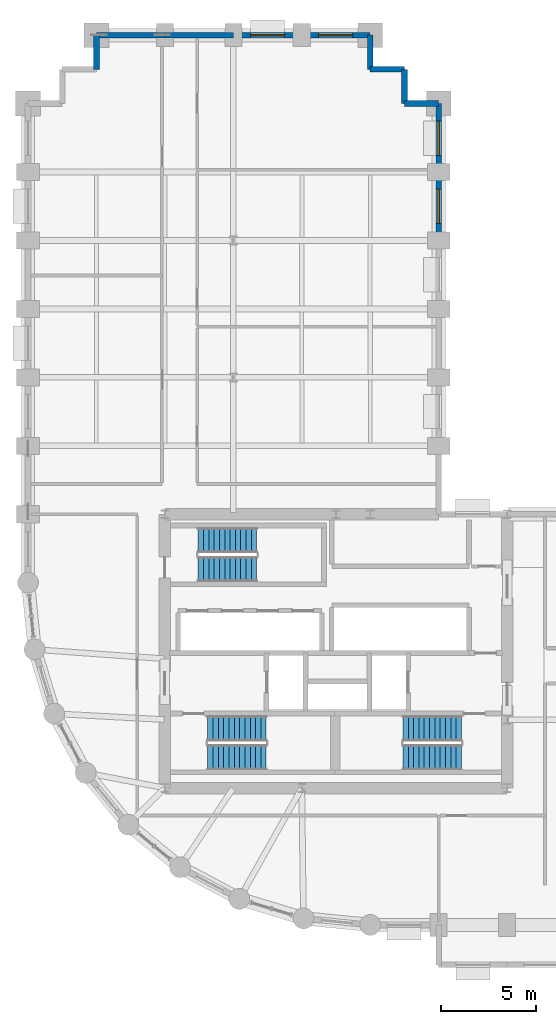
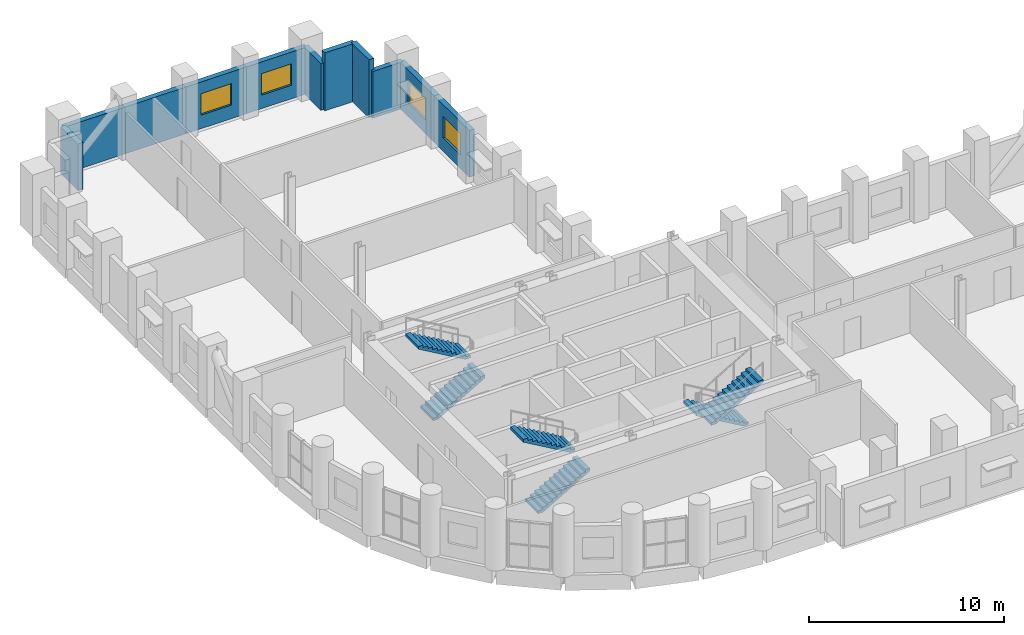
# One storey, part 12 of 14: 11 walls, 6 stair flights, 4 windows, 4 openings, 3 elements without a shape of their own.
"""IFC4 building model written with IfcOpenShell, lengths in metres."""

from ifc_helpers import new_model, si_unit, direction, frame, frame_2d, origin, place, context, subcontext, project, spatial, polyline, rectangle, outline, extrude, material, layer, layer_set, type_object, element, fill, aggregate, save


model = new_model("IFC4")

# Units and contexts
model_context = context("Model", 3, precision=1e-05, world=origin(), true_north=direction((0.0, 1.0)))
body_context = subcontext(model_context, "Body", "Model", "MODEL_VIEW")
ifc_project = project(units=[si_unit("LENGTHUNIT", "METRE"), si_unit("AREAUNIT", "SQUARE_METRE"), si_unit("VOLUMEUNIT", "CUBIC_METRE"), si_unit("PLANEANGLEUNIT", "RADIAN"), si_unit("MASSUNIT", "GRAM", prefix="KILO")], contexts=[model_context])

# Site, building, storey
site_placement = place(None, origin())
site = spatial("IfcSite", under=ifc_project, at=site_placement, CompositionType="ELEMENT")
building_placement = place(site_placement, origin())
building = spatial("IfcBuilding", under=site, at=building_placement, Name="Solnavia Interchange Tower", CompositionType="ELEMENT")
storey_placement = place(building_placement, frame((0.0, 0.0, 63.0)))
storey = spatial("IfcBuildingStorey", under=building, at=storey_placement, Name="L15", CompositionType="ELEMENT", Elevation=63.0)

# Wall, opening, window
ifc_material_1 = material(Name="Concrete C40/50", Category="concrete")
ifc_layer = layer(ifc_material_1, 0.300048828125)
ifc_layer_set = layer_set([ifc_layer], Name="Concrete C40/50")
wall_type = type_object("IfcWallType", Name="Wall-ExtSpandrel-300", PredefinedType="STANDARD", material=ifc_layer_set)
wall_1_placement = place(storey_placement, frame((28.800048828125, 39.60009765625, 0.0), z_axis=(0.0, 0.0, 1.0), x_axis=(0.0, 1.0, 0.0)))
wall_1 = element("IfcWall", 1, at=wall_1_placement, inside=storey, type_object=wall_type, Name="EXW-L15-36 Exterior precast spandrel wall", PredefinedType="STANDARD", context=body_context, shape_type="SweptSolid", body=[
    extrude(rectangle(XDim=3.599853515625, YDim=0.300048828125, at=frame_2d((1.7998046875, 0.0))), origin(), (0.0, 0.0, 1.0), 2.929931640625),
])
opening_1_placement = place(wall_1_placement, frame((0.89990234375, 0.0, 0.85009765625)))
opening_1 = element("IfcOpeningElement", 2, at=opening_1_placement, cuts=wall_1, Name="Opening WIN-02", PredefinedType="OPENING", context=body_context, shape_type="SweptSolid", body=[
    extrude(rectangle(XDim=1.800048828125, YDim=1.35009765625, at=frame_2d((0.89990234375, 0.675048828125))), frame((0.0, 0.16015625, 0.0), z_axis=(0.0, -1.0, 0.0), x_axis=(1.0, 0.0, 0.0)), (0.0, 0.0, 1.0), 0.320068359375),
])
ifc_material_2 = material(Name="Thermal-Break Aluminium & Low-E Glass", Category="aluminium")
window_type = type_object("IfcWindowType", Name="Window-Ribbon-1800x1350", PartitioningType="SINGLE_PANEL", PredefinedType="WINDOW", material=ifc_material_2)
window_1_placement = place(opening_1_placement, origin())
window_1 = element("IfcWindow", 3, at=window_1_placement, inside=storey, type_object=window_type, Name="WIN-L15-36 Facade ribbon window", OverallHeight=1.35009765625, OverallWidth=1.800048828125, PartitioningType="SINGLE_PANEL", PredefinedType="WINDOW", context=body_context, shape_type="SweptSolid", body=[
    extrude(rectangle(XDim=1.800048828125, YDim=1.35009765625, at=frame_2d((0.89990234375, 0.675048828125))), frame((0.0, 0.030029296875, 0.0), z_axis=(0.0, -1.0, 0.0), x_axis=(1.0, 0.0, 0.0)), (0.0, 0.0, 1.0), 0.06005859375),
])
fill(opening_1, window_1)

wall_2_placement = place(storey_placement, frame((28.800048828125, 43.199951171875, 0.0), z_axis=(0.0, 0.0, 1.0), x_axis=(0.0, 1.0, 0.0)))
wall_2 = element("IfcWall", 4, at=wall_2_placement, inside=storey, type_object=wall_type, Name="EXW-L15-37 Exterior precast spandrel wall", PredefinedType="STANDARD", context=body_context, shape_type="SweptSolid", body=[
    extrude(rectangle(XDim=3.60009765625, YDim=0.300048828125, at=frame_2d((1.800048828125, 0.0))), origin(), (0.0, 0.0, 1.0), 2.929931640625),
])
opening_2_placement = place(wall_2_placement, frame((0.875, 0.0, 0.85009765625)))
opening_2 = element("IfcOpeningElement", 5, at=opening_2_placement, cuts=wall_2, Name="Opening WIN-02", PredefinedType="OPENING", context=body_context, shape_type="SweptSolid", body=[
    extrude(rectangle(XDim=1.800048828125, YDim=1.35009765625, at=frame_2d((0.89990234375, 0.675048828125))), frame((0.0, 0.16015625, 0.0), z_axis=(0.0, -1.0, 0.0), x_axis=(1.0, 0.0, 0.0)), (0.0, 0.0, 1.0), 0.320068359375),
])
window_2_placement = place(opening_2_placement, origin())
window_2 = element("IfcWindow", 6, at=window_2_placement, inside=storey, type_object=window_type, Name="WIN-L15-37 Facade ribbon window", OverallHeight=1.35009765625, OverallWidth=1.800048828125, PartitioningType="SINGLE_PANEL", PredefinedType="WINDOW", context=body_context, shape_type="SweptSolid", body=[
    extrude(rectangle(XDim=1.800048828125, YDim=1.35009765625, at=frame_2d((0.89990234375, 0.675048828125))), frame((0.0, 0.030029296875, 0.0), z_axis=(0.0, -1.0, 0.0), x_axis=(1.0, 0.0, 0.0)), (0.0, 0.0, 1.0), 0.06005859375),
])
fill(opening_2, window_2)

# Walls
wall_3_placement = place(storey_placement, frame((27.0, 46.800048828125, 0.0), z_axis=(0.0, 0.0, 1.0), x_axis=(1.0, 0.0, 0.0)))
element("IfcWall", 7, at=wall_3_placement, inside=storey, type_object=wall_type, Name="EXW-L15-38 Exterior precast spandrel wall", PredefinedType="STANDARD", context=body_context, shape_type="SweptSolid", body=[
    extrude(rectangle(XDim=1.800048828125, YDim=0.300048828125, at=frame_2d((0.89990234375, 0.0))), origin(), (0.0, 0.0, 1.0), 2.929931640625),
])
for number, where, z_axis, x_axis, name in (
    (8, (27.0, 46.800048828125, 0.0), (0.0, 0.0, 1.0), (0.0, 1.0, 0.0), "EXW-L15-39 Exterior precast spandrel wall"),
    (9, (25.199951171875, 48.60009765625, 0.0), (0.0, 0.0, 1.0), (1.0, 0.0, 0.0), "EXW-L15-40 Exterior precast spandrel wall"),
):
    element("IfcWall", number, at=place(storey_placement, frame(where, z_axis=z_axis, x_axis=x_axis)), inside=storey, type_object=wall_type, Name=name, PredefinedType="STANDARD", context=body_context, shape_type="SweptSolid", body=[
        extrude(rectangle(XDim=1.800048828125, YDim=0.300048828125, at=frame_2d((0.89990234375, 0.0))), origin(), (0.0, 0.0, 1.0), 3.635009765625),
    ])
wall_4_placement = place(storey_placement, frame((25.199951171875, 48.60009765625, 0.0), z_axis=(0.0, 0.0, 1.0), x_axis=(0.0, 1.0, 0.0)))
element("IfcWall", 10, at=wall_4_placement, inside=storey, type_object=wall_type, Name="EXW-L15-41 Exterior precast spandrel wall", PredefinedType="STANDARD", context=body_context, shape_type="SweptSolid", body=[
    extrude(rectangle(XDim=1.7998046875, YDim=0.300048828125, at=frame_2d((0.89990234375, 0.0))), origin(), (0.0, 0.0, 1.0), 2.929931640625),
])

# Wall, opening, window
wall_5_placement = place(storey_placement, frame((21.60009765625, 50.39990234375, 0.0), z_axis=(0.0, 0.0, 1.0), x_axis=(1.0, 0.0, 0.0)))
wall_5 = element("IfcWall", 11, at=wall_5_placement, inside=storey, type_object=wall_type, Name="EXW-L15-42 Exterior precast spandrel wall", PredefinedType="STANDARD", context=body_context, shape_type="SweptSolid", body=[
    extrude(rectangle(XDim=3.599853515625, YDim=0.300048828125, at=frame_2d((1.7998046875, 0.0))), origin(), (0.0, 0.0, 1.0), 2.929931640625),
])
opening_3_placement = place(wall_5_placement, frame((0.875, 0.0, 0.85009765625)))
opening_3 = element("IfcOpeningElement", 12, at=opening_3_placement, cuts=wall_5, Name="Opening WIN-02", PredefinedType="OPENING", context=body_context, shape_type="SweptSolid", body=[
    extrude(rectangle(XDim=1.800048828125, YDim=1.35009765625, at=frame_2d((0.89990234375, 0.675048828125))), frame((0.0, 0.16015625, 0.0), z_axis=(0.0, -1.0, 0.0), x_axis=(1.0, 0.0, 0.0)), (0.0, 0.0, 1.0), 0.320068359375),
])
window_3_placement = place(opening_3_placement, origin())
window_3 = element("IfcWindow", 13, at=window_3_placement, inside=storey, type_object=window_type, Name="WIN-L15-42 Facade ribbon window", OverallHeight=1.35009765625, OverallWidth=1.800048828125, PartitioningType="SINGLE_PANEL", PredefinedType="WINDOW", context=body_context, shape_type="SweptSolid", body=[
    extrude(rectangle(XDim=1.800048828125, YDim=1.35009765625, at=frame_2d((0.89990234375, 0.675048828125))), frame((0.0, 0.030029296875, 0.0), z_axis=(0.0, -1.0, 0.0), x_axis=(1.0, 0.0, 0.0)), (0.0, 0.0, 1.0), 0.06005859375),
])
fill(opening_3, window_3)

wall_6_placement = place(storey_placement, frame((18.0, 50.39990234375, 0.0), z_axis=(0.0, 0.0, 1.0), x_axis=(1.0, 0.0, 0.0)))
wall_6 = element("IfcWall", 14, at=wall_6_placement, inside=storey, type_object=wall_type, Name="EXW-L15-43 Exterior precast spandrel wall", PredefinedType="STANDARD", context=body_context, shape_type="SweptSolid", body=[
    extrude(rectangle(XDim=3.60009765625, YDim=0.300048828125, at=frame_2d((1.800048828125, 0.0))), origin(), (0.0, 0.0, 1.0), 2.929931640625),
])
opening_4_placement = place(wall_6_placement, frame((0.89990234375, 0.0, 0.85009765625)))
opening_4 = element("IfcOpeningElement", 15, at=opening_4_placement, cuts=wall_6, Name="Opening WIN-02", PredefinedType="OPENING", context=body_context, shape_type="SweptSolid", body=[
    extrude(rectangle(XDim=1.800048828125, YDim=1.35009765625, at=frame_2d((0.89990234375, 0.675048828125))), frame((0.0, 0.16015625, 0.0), z_axis=(0.0, -1.0, 0.0), x_axis=(1.0, 0.0, 0.0)), (0.0, 0.0, 1.0), 0.320068359375),
])
window_4_placement = place(opening_4_placement, origin())
window_4 = element("IfcWindow", 16, at=window_4_placement, inside=storey, type_object=window_type, Name="WIN-L15-43 Facade ribbon window", OverallHeight=1.35009765625, OverallWidth=1.800048828125, PartitioningType="SINGLE_PANEL", PredefinedType="WINDOW", context=body_context, shape_type="SweptSolid", body=[
    extrude(rectangle(XDim=1.800048828125, YDim=1.35009765625, at=frame_2d((0.89990234375, 0.675048828125))), frame((0.0, 0.030029296875, 0.0), z_axis=(0.0, -1.0, 0.0), x_axis=(1.0, 0.0, 0.0)), (0.0, 0.0, 1.0), 0.06005859375),
])
fill(opening_4, window_4)

# Walls
wall_7_placement = place(storey_placement, frame((14.39990234375, 50.39990234375, 0.0), z_axis=(0.0, 0.0, 1.0), x_axis=(1.0, 0.0, 0.0)))
element("IfcWall", 17, at=wall_7_placement, inside=storey, type_object=wall_type, Name="EXW-L15-44 Exterior precast spandrel wall", PredefinedType="STANDARD", context=body_context, shape_type="SweptSolid", body=[
    extrude(rectangle(XDim=3.60009765625, YDim=0.300048828125, at=frame_2d((1.800048828125, 0.0))), origin(), (0.0, 0.0, 1.0), 2.929931640625),
])
wall_8_placement = place(storey_placement, frame((10.800048828125, 50.39990234375, 0.0), z_axis=(0.0, 0.0, 1.0), x_axis=(1.0, 0.0, 0.0)))
element("IfcWall", 18, at=wall_8_placement, inside=storey, type_object=wall_type, Name="EXW-L15-45 Exterior precast spandrel wall", PredefinedType="STANDARD", context=body_context, shape_type="SweptSolid", body=[
    extrude(rectangle(XDim=3.599853515625, YDim=0.300048828125, at=frame_2d((1.7998046875, 0.0))), origin(), (0.0, 0.0, 1.0), 2.929931640625),
])
wall_9_placement = place(storey_placement, frame((10.800048828125, 48.60009765625, 0.0), z_axis=(0.0, 0.0, 1.0), x_axis=(0.0, 1.0, 0.0)))
element("IfcWall", 19, at=wall_9_placement, inside=storey, type_object=wall_type, Name="EXW-L15-46 Exterior precast spandrel wall", PredefinedType="STANDARD", context=body_context, shape_type="SweptSolid", body=[
    extrude(rectangle(XDim=1.7998046875, YDim=0.300048828125, at=frame_2d((0.89990234375, 0.0))), origin(), (0.0, 0.0, 1.0), 2.929931640625),
])

# Stair, stair flights
stair_type = type_object("IfcStairType", Name="Stair-Dogleg-RC", PredefinedType="HALF_TURN_STAIR", material=ifc_material_1)
stair_1_placement = place(storey_placement, origin())
stair_1 = element("IfcStair", 20, at=stair_1_placement, inside=storey, type_object=stair_type, Name="L15 Core exit stair 1", PredefinedType="HALF_TURN_STAIR")
stair_flight_type = type_object("IfcStairFlightType", Name="StairFlight-RC-150", PredefinedType="STRAIGHT", material=ifc_material_1)
stair_flight_1_placement = place(storey_placement, frame((16.64990234375, 12.409912109375, 0.0), z_axis=(0.0, 0.0, 1.0), x_axis=(1.0, 0.0, 0.0)))
stair_flight_1 = element("IfcStairFlight", 21, at=stair_flight_1_placement, type_object=stair_flight_type, Name="ST-1 flight 1", NumberOfRisers=12, NumberOfTreads=11, PredefinedType="STRAIGHT", RiserHeight=0.1625, TreadLength=0.28, context=body_context, shape_type="SweptSolid", body=[
    extrude(outline(polyline([(0.0, 0.0), (0.0, 0.16259765625), (0.280029296875, 0.16259765625), (0.280029296875, 0.324951171875), (0.56005859375, 0.324951171875), (0.56005859375, 0.487548828125), (0.840087890625, 0.487548828125), (0.840087890625, 0.64990234375), (1.1201171875, 0.64990234375), (1.1201171875, 0.8125), (1.39990234375, 0.8125), (1.39990234375, 0.97509765625), (1.679931640625, 0.97509765625), (1.679931640625, 1.137451171875), (1.9599609375, 1.137451171875), (1.9599609375, 1.300048828125), (2.239990234375, 1.300048828125), (2.239990234375, 1.46240234375), (2.52001953125, 1.46240234375), (2.52001953125, 1.625), (2.800048828125, 1.625), (2.800048828125, 1.78759765625), (3.080078125, 1.78759765625), (3.080078125, 1.949951171875), (3.080078125, 1.6142578125), (0.298583984375, 0.0), (0.0, 0.0)])), frame((0.0, 0.66015625, 0.0), z_axis=(0.0, -1.0, 0.0), x_axis=(1.0, 0.0, 0.0)), (0.0, 0.0, 1.0), 1.320068359375),
])
stair_flight_2_placement = place(storey_placement, frame((19.72998046875, 13.929931640625, 1.949951171875), z_axis=(0.0, 0.0, 1.0), x_axis=(-1.0, 0.0, 0.0)))
stair_flight_2 = element("IfcStairFlight", 22, at=stair_flight_2_placement, type_object=stair_flight_type, Name="ST-1 flight 2", NumberOfRisers=12, NumberOfTreads=11, PredefinedType="STRAIGHT", RiserHeight=0.1625, TreadLength=0.28, context=body_context, shape_type="SweptSolid", body=[
    extrude(outline(polyline([(0.0, 0.0), (0.0, 0.16259765625), (0.280029296875, 0.16259765625), (0.280029296875, 0.324951171875), (0.56005859375, 0.324951171875), (0.56005859375, 0.487548828125), (0.840087890625, 0.487548828125), (0.840087890625, 0.64990234375), (1.1201171875, 0.64990234375), (1.1201171875, 0.8125), (1.39990234375, 0.8125), (1.39990234375, 0.97509765625), (1.679931640625, 0.97509765625), (1.679931640625, 1.137451171875), (1.9599609375, 1.137451171875), (1.9599609375, 1.300048828125), (2.239990234375, 1.300048828125), (2.239990234375, 1.46240234375), (2.52001953125, 1.46240234375), (2.52001953125, 1.625), (2.800048828125, 1.625), (2.800048828125, 1.78759765625), (3.080078125, 1.78759765625), (3.080078125, 1.949951171875), (3.080078125, 1.6142578125), (0.298583984375, 0.0), (0.0, 0.0)])), frame((0.0, 0.66015625, 0.0), z_axis=(0.0, -1.0, 0.0), x_axis=(1.0, 0.0, 0.0)), (0.0, 0.0, 1.0), 1.320068359375),
])
aggregate(stair_1, [stair_flight_1, stair_flight_2])

stair_2_placement = place(storey_placement, origin())
stair_2 = element("IfcStair", 23, at=stair_2_placement, inside=storey, type_object=stair_type, Name="L15 Core exit stair 2", PredefinedType="HALF_TURN_STAIR")
stair_flight_3_placement = place(storey_placement, frame((30.0, 13.929931640625, 0.0), z_axis=(0.0, 0.0, 1.0), x_axis=(-1.0, 0.0, 0.0)))
stair_flight_3 = element("IfcStairFlight", 24, at=stair_flight_3_placement, type_object=stair_flight_type, Name="ST-2 flight 1", NumberOfRisers=12, NumberOfTreads=11, PredefinedType="STRAIGHT", RiserHeight=0.1625, TreadLength=0.28, context=body_context, shape_type="SweptSolid", body=[
    extrude(outline(polyline([(0.0, 0.0), (0.0, 0.16259765625), (0.280029296875, 0.16259765625), (0.280029296875, 0.324951171875), (0.56005859375, 0.324951171875), (0.56005859375, 0.487548828125), (0.840087890625, 0.487548828125), (0.840087890625, 0.64990234375), (1.1201171875, 0.64990234375), (1.1201171875, 0.8125), (1.39990234375, 0.8125), (1.39990234375, 0.97509765625), (1.679931640625, 0.97509765625), (1.679931640625, 1.137451171875), (1.9599609375, 1.137451171875), (1.9599609375, 1.300048828125), (2.239990234375, 1.300048828125), (2.239990234375, 1.46240234375), (2.52001953125, 1.46240234375), (2.52001953125, 1.625), (2.800048828125, 1.625), (2.800048828125, 1.78759765625), (3.080078125, 1.78759765625), (3.080078125, 1.949951171875), (3.080078125, 1.6142578125), (0.298583984375, 0.0), (0.0, 0.0)])), frame((0.0, 0.66015625, 0.0), z_axis=(0.0, -1.0, 0.0), x_axis=(1.0, 0.0, 0.0)), (0.0, 0.0, 1.0), 1.320068359375),
])
stair_flight_4_placement = place(storey_placement, frame((26.919921875, 12.409912109375, 1.949951171875), z_axis=(0.0, 0.0, 1.0), x_axis=(1.0, 0.0, 0.0)))
stair_flight_4 = element("IfcStairFlight", 25, at=stair_flight_4_placement, type_object=stair_flight_type, Name="ST-2 flight 2", NumberOfRisers=12, NumberOfTreads=11, PredefinedType="STRAIGHT", RiserHeight=0.1625, TreadLength=0.28, context=body_context, shape_type="SweptSolid", body=[
    extrude(outline(polyline([(0.0, 0.0), (0.0, 0.16259765625), (0.280029296875, 0.16259765625), (0.280029296875, 0.324951171875), (0.56005859375, 0.324951171875), (0.56005859375, 0.487548828125), (0.840087890625, 0.487548828125), (0.840087890625, 0.64990234375), (1.1201171875, 0.64990234375), (1.1201171875, 0.8125), (1.39990234375, 0.8125), (1.39990234375, 0.97509765625), (1.679931640625, 0.97509765625), (1.679931640625, 1.137451171875), (1.9599609375, 1.137451171875), (1.9599609375, 1.300048828125), (2.239990234375, 1.300048828125), (2.239990234375, 1.46240234375), (2.52001953125, 1.46240234375), (2.52001953125, 1.625), (2.800048828125, 1.625), (2.800048828125, 1.78759765625), (3.080078125, 1.78759765625), (3.080078125, 1.949951171875), (3.080078125, 1.6142578125), (0.298583984375, 0.0), (0.0, 0.0)])), frame((0.0, 0.66015625, 0.0), z_axis=(0.0, -1.0, 0.0), x_axis=(1.0, 0.0, 0.0)), (0.0, 0.0, 1.0), 1.320068359375),
])
aggregate(stair_2, [stair_flight_3, stair_flight_4])

stair_3_placement = place(storey_placement, origin())
stair_3 = element("IfcStair", 26, at=stair_3_placement, inside=storey, type_object=stair_type, Name="L15 Core exit stair 3", PredefinedType="HALF_TURN_STAIR")
stair_flight_5_placement = place(storey_placement, frame((16.14990234375, 22.31005859375, 0.0), z_axis=(0.0, 0.0, 1.0), x_axis=(1.0, 0.0, 0.0)))
stair_flight_5 = element("IfcStairFlight", 27, at=stair_flight_5_placement, type_object=stair_flight_type, Name="ST-3 flight 1", NumberOfRisers=12, NumberOfTreads=11, PredefinedType="STRAIGHT", RiserHeight=0.1625, TreadLength=0.28, context=body_context, shape_type="SweptSolid", body=[
    extrude(outline(polyline([(0.0, 0.0), (0.0, 0.16259765625), (0.280029296875, 0.16259765625), (0.280029296875, 0.324951171875), (0.56005859375, 0.324951171875), (0.56005859375, 0.487548828125), (0.840087890625, 0.487548828125), (0.840087890625, 0.64990234375), (1.1201171875, 0.64990234375), (1.1201171875, 0.8125), (1.39990234375, 0.8125), (1.39990234375, 0.97509765625), (1.679931640625, 0.97509765625), (1.679931640625, 1.137451171875), (1.9599609375, 1.137451171875), (1.9599609375, 1.300048828125), (2.239990234375, 1.300048828125), (2.239990234375, 1.46240234375), (2.52001953125, 1.46240234375), (2.52001953125, 1.625), (2.800048828125, 1.625), (2.800048828125, 1.78759765625), (3.080078125, 1.78759765625), (3.080078125, 1.949951171875), (3.080078125, 1.6142578125), (0.298583984375, 0.0), (0.0, 0.0)])), frame((0.0, 0.66015625, 0.0), z_axis=(0.0, -1.0, 0.0), x_axis=(1.0, 0.0, 0.0)), (0.0, 0.0, 1.0), 1.320068359375),
])
stair_flight_6_placement = place(storey_placement, frame((19.22998046875, 23.830078125, 1.949951171875), z_axis=(0.0, 0.0, 1.0), x_axis=(-1.0, 0.0, 0.0)))
stair_flight_6 = element("IfcStairFlight", 28, at=stair_flight_6_placement, type_object=stair_flight_type, Name="ST-3 flight 2", NumberOfRisers=12, NumberOfTreads=11, PredefinedType="STRAIGHT", RiserHeight=0.1625, TreadLength=0.28, context=body_context, shape_type="SweptSolid", body=[
    extrude(outline(polyline([(0.0, 0.0), (0.0, 0.16259765625), (0.280029296875, 0.16259765625), (0.280029296875, 0.324951171875), (0.56005859375, 0.324951171875), (0.56005859375, 0.487548828125), (0.840087890625, 0.487548828125), (0.840087890625, 0.64990234375), (1.1201171875, 0.64990234375), (1.1201171875, 0.8125), (1.39990234375, 0.8125), (1.39990234375, 0.97509765625), (1.679931640625, 0.97509765625), (1.679931640625, 1.137451171875), (1.9599609375, 1.137451171875), (1.9599609375, 1.300048828125), (2.239990234375, 1.300048828125), (2.239990234375, 1.46240234375), (2.52001953125, 1.46240234375), (2.52001953125, 1.625), (2.800048828125, 1.625), (2.800048828125, 1.78759765625), (3.080078125, 1.78759765625), (3.080078125, 1.949951171875), (3.080078125, 1.6142578125), (0.298583984375, 0.0), (0.0, 0.0)])), frame((0.0, 0.66015625, 0.0), z_axis=(0.0, -1.0, 0.0), x_axis=(1.0, 0.0, 0.0)), (0.0, 0.0, 1.0), 1.320068359375),
])
aggregate(stair_3, [stair_flight_5, stair_flight_6])

save(model, "model.ifc")
